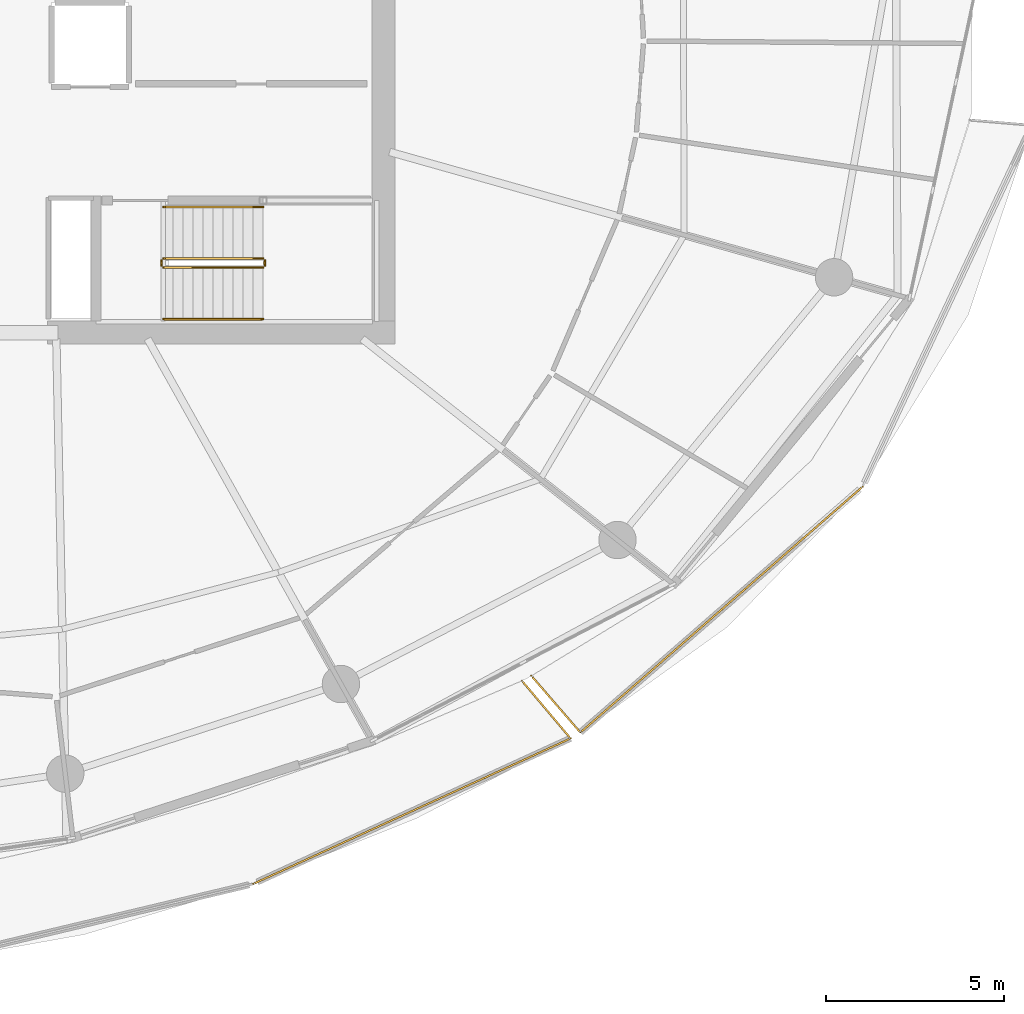
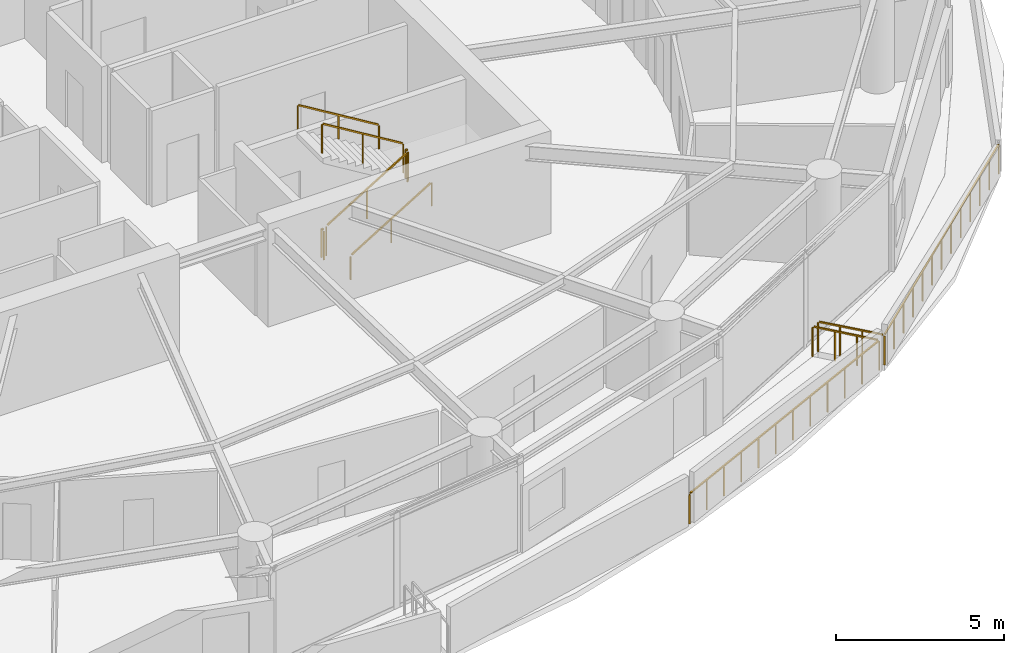
# One storey, part 17 of 19: 10 railings.
"""IFC4 building model written with IfcOpenShell, lengths in metres."""

from ifc_helpers import new_model, si_unit, direction, frame, origin, origin_2d, place, context, subcontext, project, spatial, rectangle, extrude, material, type_object, element, save


model = new_model("IFC4")

# Units and contexts
model_context = context("Model", 3, precision=1e-05, world=origin(), true_north=direction((0.0, 1.0)))
body_context = subcontext(model_context, "Body", "Model", "MODEL_VIEW")
ifc_project = project(units=[si_unit("LENGTHUNIT", "METRE"), si_unit("AREAUNIT", "SQUARE_METRE"), si_unit("VOLUMEUNIT", "CUBIC_METRE"), si_unit("PLANEANGLEUNIT", "RADIAN"), si_unit("MASSUNIT", "GRAM", prefix="KILO")], contexts=[model_context])

# Site, building, storey
site_placement = place(None, origin())
site = spatial("IfcSite", under=ifc_project, at=site_placement, CompositionType="ELEMENT")
building_placement = place(site_placement, origin())
building = spatial("IfcBuilding", under=site, at=building_placement, Name="Kazma Halo Residences", CompositionType="ELEMENT")
storey_placement = place(building_placement, frame((0.0, 0.0, 199.050048828125)))
storey = spatial("IfcBuildingStorey", under=building, at=storey_placement, Name="L50", CompositionType="ELEMENT", Elevation=199.050048828125)

# Railings
ifc_material_1 = material(Name="Aluminium AW-6063 T6 Brushed Cap Rail", Category="aluminium")
railing_type_1 = type_object("IfcRailingType", Name="RLG-BAL-CAP-1120", PredefinedType="BALUSTRADE", material=ifc_material_1)
railing_1_placement = place(storey_placement, frame((55.72998046875, 18.209228515625, 0.0)))
element("IfcRailing", 1, at=railing_1_placement, inside=storey, type_object=railing_type_1, Name="L50 SSE wave balcony guard 3", PredefinedType="BALUSTRADE", context=body_context, shape_type="SweptSolid", body=[
    extrude(rectangle(XDim=0.050048828125, YDim=0.050048828125, at=origin_2d()), frame((0.03857421875, 0.017822265625, 1.09521484375), z_axis=(0.909021519083, 0.416749178576, 0.0), x_axis=(-0.416749178576, 0.909021519083, 0.0)), (0.0, 0.0, 1.0), 9.703369140625),
    extrude(rectangle(XDim=0.0400390625, YDim=0.0400390625, at=origin_2d()), origin(), (0.0, 0.0, 1.0), 1.05810546875),
    extrude(rectangle(XDim=0.0400390625, YDim=0.0400390625, at=origin_2d()), frame((0.808837890625, 0.370849609375, 0.0)), (0.0, 0.0, 1.0), 1.05810546875),
    extrude(rectangle(XDim=0.0400390625, YDim=0.0400390625, at=origin_2d()), frame((1.617919921875, 0.74169921875, 0.0)), (0.0, 0.0, 1.0), 1.05810546875),
    extrude(rectangle(XDim=0.0400390625, YDim=0.0400390625, at=origin_2d()), frame((2.4267578125, 1.112548828125, 0.0)), (0.0, 0.0, 1.0), 1.05810546875),
    extrude(rectangle(XDim=0.0400390625, YDim=0.0400390625, at=origin_2d()), frame((3.235595703125, 1.4833984375, 0.0)), (0.0, 0.0, 1.0), 1.05810546875),
    extrude(rectangle(XDim=0.0400390625, YDim=0.0400390625, at=origin_2d()), frame((4.04443359375, 1.854248046875, 0.0)), (0.0, 0.0, 1.0), 1.05810546875),
    extrude(rectangle(XDim=0.0400390625, YDim=0.0400390625, at=origin_2d()), frame((4.853515625, 2.22509765625, 0.0)), (0.0, 0.0, 1.0), 1.05810546875),
    extrude(rectangle(XDim=0.0400390625, YDim=0.0400390625, at=origin_2d()), frame((5.662353515625, 2.595947265625, 0.0)), (0.0, 0.0, 1.0), 1.05810546875),
    extrude(rectangle(XDim=0.0400390625, YDim=0.0400390625, at=origin_2d()), frame((6.47119140625, 2.966796875, 0.0)), (0.0, 0.0, 1.0), 1.05810546875),
    extrude(rectangle(XDim=0.0400390625, YDim=0.0400390625, at=origin_2d()), frame((7.280029296875, 3.337646484375, 0.0)), (0.0, 0.0, 1.0), 1.05810546875),
    extrude(rectangle(XDim=0.0400390625, YDim=0.0400390625, at=origin_2d()), frame((8.089111328125, 3.70849609375, 0.0)), (0.0, 0.0, 1.0), 1.05810546875),
    extrude(rectangle(XDim=0.0400390625, YDim=0.0400390625, at=origin_2d()), frame((8.89794921875, 4.079345703125, 0.0)), (0.0, 0.0, 1.0), 1.05810546875),
])
railing_2_placement = place(storey_placement, frame((64.6279296875, 22.28857421875, 0.0)))
element("IfcRailing", 2, at=railing_2_placement, inside=storey, type_object=railing_type_1, Name="L50 SSE wave balcony guard 4", PredefinedType="BALUSTRADE", context=body_context, shape_type="SweptSolid", body=[
    extrude(rectangle(XDim=0.050048828125, YDim=0.050048828125, at=origin_2d()), frame((-0.02734375, 0.032470703125, 1.09521484375), z_axis=(-0.644750769237, 0.764392860752, 0.0), x_axis=(-0.764392860752, -0.644750769237, 0.0)), (0.0, 0.0, 1.0), 2.029052734375),
    extrude(rectangle(XDim=0.0400390625, YDim=0.0400390625, at=origin_2d()), origin(), (0.0, 0.0, 1.0), 1.05810546875),
    extrude(rectangle(XDim=0.0400390625, YDim=0.0400390625, at=origin_2d()), frame((-0.454345703125, 0.53857421875, 0.0)), (0.0, 0.0, 1.0), 1.05810546875),
    extrude(rectangle(XDim=0.0400390625, YDim=0.0400390625, at=origin_2d()), frame((-0.90869140625, 1.077392578125, 0.0)), (0.0, 0.0, 1.0), 1.05810546875),
    extrude(rectangle(XDim=0.0400390625, YDim=0.0400390625, at=origin_2d()), frame((-1.363037109375, 1.615966796875, 0.0)), (0.0, 0.0, 1.0), 1.05810546875),
])
railing_3_placement = place(storey_placement, frame((63.528564453125, 24.041748046875, 0.0)))
element("IfcRailing", 3, at=railing_3_placement, inside=storey, type_object=railing_type_1, Name="L50 SE wave balcony guard 1", PredefinedType="BALUSTRADE", context=body_context, shape_type="SweptSolid", body=[
    extrude(rectangle(XDim=0.050048828125, YDim=0.050048828125, at=origin_2d()), frame((0.02783203125, -0.0322265625, 1.09521484375), z_axis=(0.654089003035, -0.756417593733, 0.0), x_axis=(0.756417593733, 0.654089003035, 0.0)), (0.0, 0.0, 1.0), 2.014404296875),
    extrude(rectangle(XDim=0.0400390625, YDim=0.0400390625, at=origin_2d()), origin(), (0.0, 0.0, 1.0), 1.05810546875),
    extrude(rectangle(XDim=0.0400390625, YDim=0.0400390625, at=origin_2d()), frame((0.457763671875, -0.529296875, 0.0)), (0.0, 0.0, 1.0), 1.05810546875),
    extrude(rectangle(XDim=0.0400390625, YDim=0.0400390625, at=origin_2d()), frame((0.91552734375, -1.058837890625, 0.0)), (0.0, 0.0, 1.0), 1.05810546875),
    extrude(rectangle(XDim=0.0400390625, YDim=0.0400390625, at=origin_2d()), frame((1.373291015625, -1.588134765625, 0.0)), (0.0, 0.0, 1.0), 1.05810546875),
])
railing_4_placement = place(storey_placement, frame((64.90185546875, 22.45361328125, 0.0)))
element("IfcRailing", 4, at=railing_4_placement, inside=storey, type_object=railing_type_1, Name="L50 SE wave balcony guard 2", PredefinedType="BALUSTRADE", context=body_context, shape_type="SweptSolid", body=[
    extrude(rectangle(XDim=0.050048828125, YDim=0.050048828125, at=origin_2d()), frame((0.031982421875, 0.02783203125, 1.09521484375), z_axis=(0.754132466244, 0.65672233353, 0.0), x_axis=(-0.65672233353, 0.754132466244, 0.0)), (0.0, 0.0, 1.0), 10.4189453125),
    extrude(rectangle(XDim=0.0400390625, YDim=0.0400390625, at=origin_2d()), origin(), (0.0, 0.0, 1.0), 1.05810546875),
    extrude(rectangle(XDim=0.0400390625, YDim=0.0400390625, at=origin_2d()), frame((0.66015625, 0.574951171875, 0.0)), (0.0, 0.0, 1.0), 1.05810546875),
    extrude(rectangle(XDim=0.0400390625, YDim=0.0400390625, at=origin_2d()), frame((1.3203125, 1.149658203125, 0.0)), (0.0, 0.0, 1.0), 1.05810546875),
    extrude(rectangle(XDim=0.0400390625, YDim=0.0400390625, at=origin_2d()), frame((1.98046875, 1.724609375, 0.0)), (0.0, 0.0, 1.0), 1.05810546875),
    extrude(rectangle(XDim=0.0400390625, YDim=0.0400390625, at=origin_2d()), frame((2.640380859375, 2.29931640625, 0.0)), (0.0, 0.0, 1.0), 1.05810546875),
    extrude(rectangle(XDim=0.0400390625, YDim=0.0400390625, at=origin_2d()), frame((3.300537109375, 2.874267578125, 0.0)), (0.0, 0.0, 1.0), 1.05810546875),
    extrude(rectangle(XDim=0.0400390625, YDim=0.0400390625, at=origin_2d()), frame((3.960693359375, 3.44921875, 0.0)), (0.0, 0.0, 1.0), 1.05810546875),
    extrude(rectangle(XDim=0.0400390625, YDim=0.0400390625, at=origin_2d()), frame((4.620849609375, 4.02392578125, 0.0)), (0.0, 0.0, 1.0), 1.05810546875),
    extrude(rectangle(XDim=0.0400390625, YDim=0.0400390625, at=origin_2d()), frame((5.281005859375, 4.598876953125, 0.0)), (0.0, 0.0, 1.0), 1.05810546875),
    extrude(rectangle(XDim=0.0400390625, YDim=0.0400390625, at=origin_2d()), frame((5.94091796875, 5.173583984375, 0.0)), (0.0, 0.0, 1.0), 1.05810546875),
    extrude(rectangle(XDim=0.0400390625, YDim=0.0400390625, at=origin_2d()), frame((6.60107421875, 5.74853515625, 0.0)), (0.0, 0.0, 1.0), 1.05810546875),
    extrude(rectangle(XDim=0.0400390625, YDim=0.0400390625, at=origin_2d()), frame((7.26123046875, 6.3232421875, 0.0)), (0.0, 0.0, 1.0), 1.05810546875),
    extrude(rectangle(XDim=0.0400390625, YDim=0.0400390625, at=origin_2d()), frame((7.92138671875, 6.898193359375, 0.0)), (0.0, 0.0, 1.0), 1.05810546875),
])
ifc_material_2 = material(Name="Painted Steel S355", Category="steel")
railing_type_2 = type_object("IfcRailingType", Name="RLG-STAIR-GRD-1100", PredefinedType="GUARDRAIL", material=ifc_material_2)
railing_5_placement = place(storey_placement, frame((53.199951171875, 35.5, 0.17041015625)))
element("IfcRailing", 5, at=railing_5_placement, inside=storey, type_object=railing_type_2, Name="L50 ST-03 stair guard 1", PredefinedType="GUARDRAIL", context=body_context, shape_type="SweptSolid", body=[
    extrude(rectangle(XDim=0.050048828125, YDim=0.050048828125, at=origin_2d()), frame((0.036376953125, 0.0, 1.09716796875), z_axis=(0.854169791009, 0.0, 0.51999420009), x_axis=(0.0, 1.0, 0.0)), (0.0, 0.0, 1.0), 3.193115234375),
    extrude(rectangle(XDim=0.0400390625, YDim=0.0400390625, at=origin_2d()), origin(), (0.0, 0.0, 1.0), 1.0380859375),
    extrude(rectangle(XDim=0.0400390625, YDim=0.0400390625, at=origin_2d()), frame((1.39990234375, 0.0, 0.852294921875)), (0.0, 0.0, 1.0), 1.0380859375),
    extrude(rectangle(XDim=0.0400390625, YDim=0.0400390625, at=origin_2d()), frame((2.800048828125, 0.0, 1.70458984375)), (0.0, 0.0, 1.0), 1.0380859375),
])
railing_6_placement = place(storey_placement, frame((56.050048828125, 35.550048828125, 1.875)))
element("IfcRailing", 6, at=railing_6_placement, inside=storey, type_object=railing_type_2, Name="L50 ST-03 stair guard 2", PredefinedType="GUARDRAIL", context=body_context, shape_type="SweptSolid", body=[
    extrude(rectangle(XDim=0.050048828125, YDim=0.050048828125, at=origin_2d()), frame((0.0, 0.04248046875, 1.0751953125), z_axis=(0.0, 1.0, 0.0), x_axis=(-1.0, 0.0, 0.0)), (0.0, 0.0, 1.0), 0.06494140625),
    extrude(rectangle(XDim=0.0400390625, YDim=0.0400390625, at=origin_2d()), origin(), (0.0, 0.0, 1.0), 1.0380859375),
    extrude(rectangle(XDim=0.0400390625, YDim=0.0400390625, at=origin_2d()), frame((0.0, 0.14990234375, 0.0)), (0.0, 0.0, 1.0), 1.0380859375),
])
railing_7_placement = place(storey_placement, frame((56.0, 35.75, 2.04541015625)))
element("IfcRailing", 7, at=railing_7_placement, inside=storey, type_object=railing_type_2, Name="L50 ST-03 stair guard 3", PredefinedType="GUARDRAIL", context=body_context, shape_type="SweptSolid", body=[
    extrude(rectangle(XDim=0.050048828125, YDim=0.050048828125, at=origin_2d()), frame((-0.036376953125, 0.0, 1.09716796875), z_axis=(-0.854169791009, 0.0, 0.51999420009), x_axis=(0.0, -1.0, 0.0)), (0.0, 0.0, 1.0), 3.193115234375),
    extrude(rectangle(XDim=0.0400390625, YDim=0.0400390625, at=origin_2d()), origin(), (0.0, 0.0, 1.0), 1.0380859375),
    extrude(rectangle(XDim=0.0400390625, YDim=0.0400390625, at=origin_2d()), frame((-1.39990234375, 0.0, 0.852294921875)), (0.0, 0.0, 1.0), 1.0380859375),
    extrude(rectangle(XDim=0.0400390625, YDim=0.0400390625, at=origin_2d()), frame((-2.800048828125, 0.0, 1.70458984375)), (0.0, 0.0, 1.0), 1.0380859375),
])
railing_8_placement = place(storey_placement, frame((53.14990234375, 35.550048828125, 0.0)))
element("IfcRailing", 8, at=railing_8_placement, inside=storey, type_object=railing_type_2, Name="L50 ST-03 stair guard 4", PredefinedType="GUARDRAIL", context=body_context, shape_type="SweptSolid", body=[
    extrude(rectangle(XDim=0.050048828125, YDim=0.050048828125, at=origin_2d()), frame((0.0, 0.04248046875, 1.0751953125), z_axis=(0.0, 1.0, 0.0), x_axis=(-1.0, 0.0, 0.0)), (0.0, 0.0, 1.0), 0.06494140625),
    extrude(rectangle(XDim=0.0400390625, YDim=0.0400390625, at=origin_2d()), origin(), (0.0, 0.0, 1.0), 1.0380859375),
    extrude(rectangle(XDim=0.0400390625, YDim=0.0400390625, at=origin_2d()), frame((0.0, 0.14990234375, 0.0)), (0.0, 0.0, 1.0), 1.0380859375),
])
ifc_material_3 = material(Name="Brushed Stainless Steel", Category="steel")
railing_type_3 = type_object("IfcRailingType", Name="RLG-STAIR-HND-900", PredefinedType="HANDRAIL", material=ifc_material_3)
railing_9_placement = place(storey_placement, frame((53.199951171875, 34.050048828125, 0.17041015625)))
element("IfcRailing", 9, at=railing_9_placement, inside=storey, type_object=railing_type_3, Name="L50 ST-03 stair handrail 1", PredefinedType="HANDRAIL", context=body_context, shape_type="SweptSolid", body=[
    extrude(rectangle(XDim=0.050048828125, YDim=0.050048828125, at=origin_2d()), frame((0.036376953125, 0.0, 0.89697265625), z_axis=(0.854169791009, 0.0, 0.51999420009), x_axis=(0.0, 1.0, 0.0)), (0.0, 0.0, 1.0), 3.193115234375),
    extrude(rectangle(XDim=0.0400390625, YDim=0.0400390625, at=origin_2d()), origin(), (0.0, 0.0, 1.0), 0.837890625),
    extrude(rectangle(XDim=0.0400390625, YDim=0.0400390625, at=origin_2d()), frame((1.39990234375, 0.0, 0.852294921875)), (0.0, 0.0, 1.0), 0.837890625),
    extrude(rectangle(XDim=0.0400390625, YDim=0.0400390625, at=origin_2d()), frame((2.800048828125, 0.0, 1.70458984375)), (0.0, 0.0, 1.0), 0.837890625),
])
railing_10_placement = place(storey_placement, frame((56.0, 37.199951171875, 2.04541015625)))
element("IfcRailing", 10, at=railing_10_placement, inside=storey, type_object=railing_type_3, Name="L50 ST-03 stair handrail 2", PredefinedType="HANDRAIL", context=body_context, shape_type="SweptSolid", body=[
    extrude(rectangle(XDim=0.050048828125, YDim=0.050048828125, at=origin_2d()), frame((-0.036376953125, 0.0, 0.89697265625), z_axis=(-0.854169791009, 0.0, 0.51999420009), x_axis=(0.0, -1.0, 0.0)), (0.0, 0.0, 1.0), 3.193115234375),
    extrude(rectangle(XDim=0.0400390625, YDim=0.0400390625, at=origin_2d()), origin(), (0.0, 0.0, 1.0), 0.837890625),
    extrude(rectangle(XDim=0.0400390625, YDim=0.0400390625, at=origin_2d()), frame((-1.39990234375, 0.0, 0.852294921875)), (0.0, 0.0, 1.0), 0.837890625),
    extrude(rectangle(XDim=0.0400390625, YDim=0.0400390625, at=origin_2d()), frame((-2.800048828125, 0.0, 1.70458984375)), (0.0, 0.0, 1.0), 0.837890625),
])

save(model, "model.ifc")
